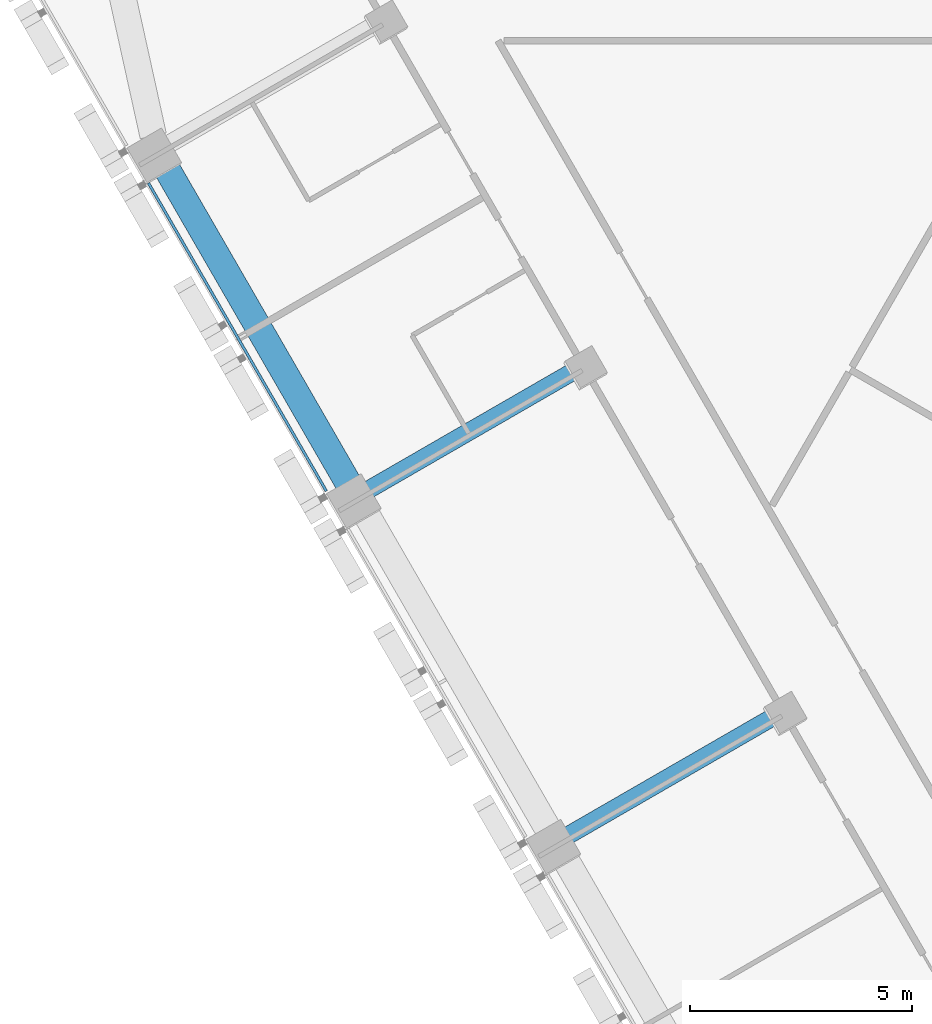
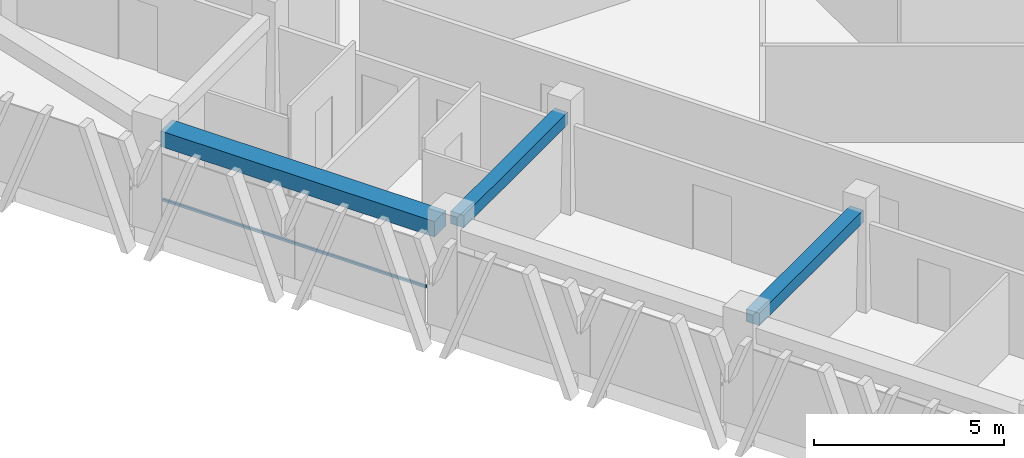
# One storey, part 3 of 16: 3 beams, 1 member, 1 element without a shape of its own.
"""IFC4 building model written with IfcOpenShell, lengths in metres."""

from ifc_helpers import new_model, si_unit, direction, frame, origin, origin_2d, place, context, subcontext, project, spatial, rectangle, extrude, material, layer, layer_set, material_profile, profile_set, type_object, element, aggregate, save


model = new_model("IFC4")

# Units and contexts
model_context = context("Model", 3, precision=1e-05, world=origin(), true_north=direction((0.0, 1.0)))
body_context = subcontext(model_context, "Body", "Model", "MODEL_VIEW")
ifc_project = project(units=[si_unit("LENGTHUNIT", "METRE"), si_unit("AREAUNIT", "SQUARE_METRE"), si_unit("VOLUMEUNIT", "CUBIC_METRE"), si_unit("PLANEANGLEUNIT", "RADIAN"), si_unit("MASSUNIT", "GRAM", prefix="KILO")], contexts=[model_context])

# Site, building, storey
site_placement = place(None, origin())
site = spatial("IfcSite", under=ifc_project, at=site_placement, CompositionType="ELEMENT")
building_placement = place(site_placement, origin())
building = spatial("IfcBuilding", under=site, at=building_placement, Name="Altiplano Prism Tower", CompositionType="ELEMENT")
storey_placement = place(building_placement, frame((0.0, 0.0, 88.199951171875)))
storey = spatial("IfcBuildingStorey", under=building, at=storey_placement, Name="L22", CompositionType="ELEMENT", Elevation=88.199951171875)

# Curtain wall, member
ifc_material_1 = material(Name="Aluminium and glass", Category="aluminium")
ifc_layer = layer(ifc_material_1, 0.280029296875)
ifc_layer_set = layer_set([ifc_layer], Name="Aluminium and glass")
curtain_wall_type = type_object("IfcCurtainWallType", Name="CW1 typical co-living unitised curtain wall", PredefinedType="NOTDEFINED", material=ifc_layer_set)
curtain_wall_placement = place(storey_placement, origin())
curtain_wall = element("IfcCurtainWall", 1, at=curtain_wall_placement, inside=storey, type_object=curtain_wall_type, Name="CW1 curtain wall south-west face L22", PredefinedType="NOTDEFINED")
ifc_material_2 = material(Name="Aluminium", Category="aluminium")
ifc_material_profile_1 = material_profile(ifc_material_2, rectangle(XDim=0.06005859375, YDim=0.080078125, at=origin_2d()), Name="CW1 transom 80 x 60")
ifc_profile_set_1 = profile_set([ifc_material_profile_1], Name="Aluminium")
member_type = type_object("IfcMemberType", Name="CW1 transom 80 x 60", PredefinedType="USERDEFINED", material=ifc_profile_set_1)
member_placement = place(storey_placement, frame((61.709228515625, 87.19140625, 1.10009765625), z_axis=(0.499999136801, -0.866025902152, 0.0), x_axis=(0.866025902152, 0.499999136801, 0.0)))
member = element("IfcMember", 2, at=member_placement, type_object=member_type, Name="CW1 transom", ObjectType="TRANSOM", PredefinedType="USERDEFINED", context=body_context, shape_type="SweptSolid", body=[
    extrude(rectangle(XDim=0.06005859375, YDim=0.080078125, at=origin_2d()), origin(), (0.0, 0.0, 1.0), 8.02001953125),
])
aggregate(curtain_wall, [member])

# Beams
ifc_material_3 = material(Name="Concrete C60/75", Category="concrete")
ifc_material_profile_2 = material_profile(ifc_material_3, rectangle(XDim=0.60009765625, YDim=0.5, at=origin_2d()), Name="Edge beam 600x500")
ifc_profile_set_2 = profile_set([ifc_material_profile_2], Name="Concrete C60/75")
beam_type_1 = type_object("IfcBeamType", Name="Edge beam 600x500", PredefinedType="SPANDREL", material=ifc_profile_set_2)
beam_placement = place(storey_placement, frame((62.05810546875, 87.624267578125, 2.85009765625), z_axis=(0.499992746786, -0.866029591389, 0.0), x_axis=(0.866029591389, 0.499992746786, 0.0)))
element("IfcBeam", 3, at=beam_placement, inside=storey, type_object=beam_type_1, Name="Edge beam P11-P12 L23", PredefinedType="SPANDREL", context=body_context, shape_type="SweptSolid", body=[
    extrude(rectangle(XDim=0.60009765625, YDim=0.5, at=origin_2d()), origin(), (0.0, 0.0, 1.0), 8.33984375),
])
ifc_material_profile_3 = material_profile(ifc_material_3, rectangle(XDim=0.39990234375, YDim=0.39990234375, at=origin_2d()), Name="Tie beam 400x400")
ifc_profile_set_3 = profile_set([ifc_material_profile_3], Name="Concrete C60/75")
beam_type_2 = type_object("IfcBeamType", Name="Tie beam 400x400", PredefinedType="BEAM", material=ifc_profile_set_3)
for number, where, z_axis, x_axis, name in (
    (4, (71.433349609375, 83.02587890625, 2.900146484375), (-0.866042665983, -0.499970099802, 0.0), (0.499970099802, -0.866042665983, 0.0), "Tie beam I12 L23"),
    (5, (75.933349609375, 75.231689453125, 2.900146484375), (-0.866042665983, -0.499970099802, 0.0), (0.499970099802, -0.866042665983, 0.0), "Tie beam I13 L23"),
):
    element("IfcBeam", number, at=place(storey_placement, frame(where, z_axis=z_axis, x_axis=x_axis)), inside=storey, type_object=beam_type_2, Name=name, PredefinedType="BEAM", context=body_context, shape_type="SweptSolid", body=[
        extrude(rectangle(XDim=0.39990234375, YDim=0.39990234375, at=origin_2d()), origin(), (0.0, 0.0, 1.0), 5.489990234375),
    ])

save(model, "model.ifc")
